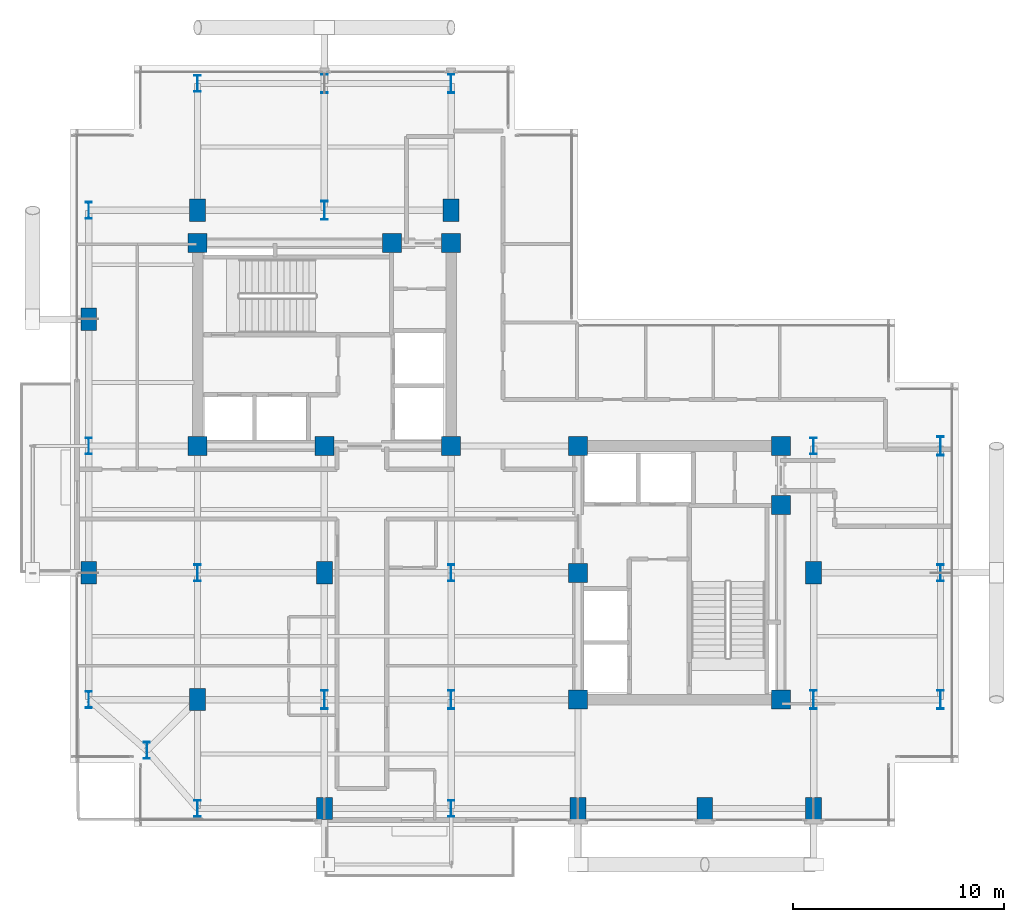
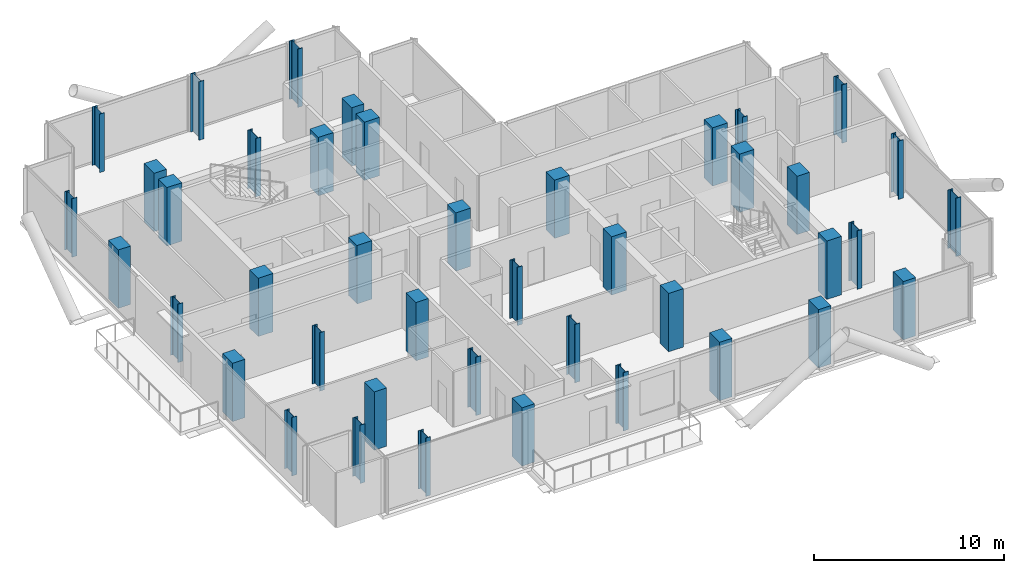
# One storey, part 1 of 21: 42 columns.
"""IFC4 building model written with IfcOpenShell, lengths in metres."""

from ifc_helpers import new_model, si_unit, direction, frame, origin, origin_2d, place, context, subcontext, project, spatial, rectangle, i_section, extrude, material, material_profile, profile_set, type_object, element, save


model = new_model("IFC4")

# Units and contexts
model_context = context("Model", 3, precision=1e-05, world=origin(), true_north=direction((0.0, 1.0)))
body_context = subcontext(model_context, "Body", "Model", "MODEL_VIEW")
ifc_project = project(units=[si_unit("LENGTHUNIT", "METRE"), si_unit("AREAUNIT", "SQUARE_METRE"), si_unit("VOLUMEUNIT", "CUBIC_METRE"), si_unit("PLANEANGLEUNIT", "RADIAN"), si_unit("MASSUNIT", "GRAM", prefix="KILO"), si_unit("THERMODYNAMICTEMPERATUREUNIT", "KELVIN"), si_unit("POWERUNIT", "WATT")], contexts=[model_context])

# Site, building, storey
site_placement = place(None, origin())
site = spatial("IfcSite", under=ifc_project, at=site_placement, CompositionType="ELEMENT")
building_placement = place(site_placement, origin())
building = spatial("IfcBuilding", under=site, at=building_placement, Name="Svarakhadi Broadcast Tower", CompositionType="ELEMENT")
storey_placement = place(building_placement, frame((0.0, 0.0, 208.64990234375)))
storey = spatial("IfcBuildingStorey", under=building, at=storey_placement, Name="L51", CompositionType="ELEMENT", Elevation=208.64990234375)

# Columns
ifc_material_1 = material(Name="Concrete C50/60 (IS 456 M60)", Category="concrete")
ifc_material_profile_1 = material_profile(ifc_material_1, rectangle(XDim=0.75, YDim=1.050048828125, at=origin_2d()), Name="RC 750x1050")
ifc_profile_set_1 = profile_set([ifc_material_profile_1], Name="Concrete C50/60 (IS 456 M60)")
column_type_1 = type_object("IfcColumnType", Name="Col_RC750", PredefinedType="COLUMN", material=ifc_profile_set_1)
for number, where, z_axis, x_axis, name in (
    (1, (0.85009765625, 12.0, 0.0), (0.0, 0.0, 1.0), (1.0, 0.0, 0.0), "L51 Column G04"),
    (2, (0.85009765625, 24.0, 0.0), (0.0, 0.0, 1.0), (1.0, 0.0, 0.0), "L51 Column G06"),
    (3, (6.0, 6.0, 0.0), (0.0, 0.0, 1.0), (1.0, 0.0, 0.0), "L51 Column G12"),
    (4, (6.0, 29.14990234375, 0.0), (0.0, 0.0, 1.0), (1.0, 0.0, 0.0), "L51 Column G14"),
    (5, (12.0, 0.85009765625, 0.0), (0.0, 0.0, 1.0), (1.0, 0.0, 0.0), "L51 Column G18"),
    (6, (12.0, 12.0, 0.0), (0.0, 0.0, 1.0), (1.0, 0.0, 0.0), "L51 Column G20"),
    (7, (18.0, 29.14990234375, 0.0), (0.0, 0.0, 1.0), (1.0, 0.0, 0.0), "L51 Column G28"),
    (8, (24.0, 0.85009765625, 0.0), (0.0, 0.0, 1.0), (1.0, 0.0, 0.0), "L51 Column G32"),
    (9, (30.0, 0.85009765625, 0.0), (0.0, 0.0, 1.0), (1.0, 0.0, 0.0), "L51 Column G36"),
    (10, (35.14990234375, 0.85009765625, 0.0), (0.0, 0.0, 1.0), (1.0, 0.0, 0.0), "L51 Column G38"),
    (11, (35.14990234375, 12.0, 0.0), (0.0, 0.0, 1.0), (1.0, 0.0, 0.0), "L51 Column G40"),
):
    element("IfcColumn", number, at=place(storey_placement, frame(where, z_axis=z_axis, x_axis=x_axis)), inside=storey, type_object=column_type_1, Name=name, PredefinedType="COLUMN", context=body_context, shape_type="SweptSolid", body=[
        extrude(rectangle(XDim=0.75, YDim=1.050048828125, at=origin_2d()), origin(), (0.0, 0.0, 1.0), 3.75),
    ])
ifc_material_profile_2 = material_profile(ifc_material_1, rectangle(XDim=0.89990234375, YDim=0.89990234375, at=origin_2d()), Name="RC 900x900")
ifc_profile_set_2 = profile_set([ifc_material_profile_2], Name="Concrete C50/60 (IS 456 M60)")
column_type_2 = type_object("IfcColumnType", Name="Col_RC900", PredefinedType="COLUMN", material=ifc_profile_set_2)
for number, where, z_axis, x_axis, name in (
    (12, (6.0, 18.0, 0.0), (0.0, 0.0, 1.0), (1.0, 0.0, 0.0), "L51 Column CW1"),
    (13, (12.0, 18.0, 0.0), (0.0, 0.0, 1.0), (1.0, 0.0, 0.0), "L51 Column CW2"),
    (14, (18.0, 18.0, 0.0), (0.0, 0.0, 1.0), (1.0, 0.0, 0.0), "L51 Column CW3"),
    (15, (6.0, 27.60009765625, 0.0), (0.0, 0.0, 1.0), (1.0, 0.0, 0.0), "L51 Column CW4"),
    (16, (15.199951171875, 27.60009765625, 0.0), (0.0, 0.0, 1.0), (1.0, 0.0, 0.0), "L51 Column CW5"),
    (17, (18.0, 27.60009765625, 0.0), (0.0, 0.0, 1.0), (1.0, 0.0, 0.0), "L51 Column CW6"),
    (18, (24.0, 6.0, 0.0), (0.0, 0.0, 1.0), (1.0, 0.0, 0.0), "L51 Column CE1"),
    (19, (24.0, 12.0, 0.0), (0.0, 0.0, 1.0), (1.0, 0.0, 0.0), "L51 Column CE2"),
    (20, (24.0, 18.0, 0.0), (0.0, 0.0, 1.0), (1.0, 0.0, 0.0), "L51 Column CE3"),
    (21, (33.60009765625, 6.0, 0.0), (0.0, 0.0, 1.0), (1.0, 0.0, 0.0), "L51 Column CE4"),
    (22, (33.60009765625, 15.199951171875, 0.0), (0.0, 0.0, 1.0), (1.0, 0.0, 0.0), "L51 Column CE5"),
    (23, (33.60009765625, 18.0, 0.0), (0.0, 0.0, 1.0), (1.0, 0.0, 0.0), "L51 Column CE6"),
):
    element("IfcColumn", number, at=place(storey_placement, frame(where, z_axis=z_axis, x_axis=x_axis)), inside=storey, type_object=column_type_2, Name=name, PredefinedType="COLUMN", context=body_context, shape_type="SweptSolid", body=[
        extrude(rectangle(XDim=0.89990234375, YDim=0.89990234375, at=origin_2d()), origin(), (0.0, 0.0, 1.0), 3.75),
    ])
ifc_material_2 = material(Name="Steel S460ML (IS 2062 E450BR)", Category="steel")
ifc_material_profile_3 = material_profile(ifc_material_2, i_section(OverallWidth=0.300048828125, OverallDepth=0.800048828125, WebThickness=0.017578125, FlangeThickness=0.032958984375, FilletRadius=0.030029296875, at=origin_2d()), Name="WPB 800x300x262")
ifc_profile_set_3 = profile_set([ifc_material_profile_3], Name="Steel S460ML (IS 2062 E450BR)")
column_type_3 = type_object("IfcColumnType", Name="Col_WPB800", PredefinedType="COLUMN", material=ifc_profile_set_3)
for number, where, z_axis, x_axis, name in (
    (24, (3.60009765625, 3.60009765625, 0.0), (0.0, 0.0, 1.0), (1.0, 0.0, 0.0), "L51 Column G01"),
    (25, (0.85009765625, 6.0, 0.0), (0.0, 0.0, 1.0), (1.0, 0.0, 0.0), "L51 Column G03"),
    (26, (0.85009765625, 18.0, 0.0), (0.0, 0.0, 1.0), (1.0, 0.0, 0.0), "L51 Column G05"),
    (27, (0.85009765625, 29.14990234375, 0.0), (0.0, 0.0, 1.0), (1.0, 0.0, 0.0), "L51 Column G07"),
    (28, (6.0, 0.85009765625, 0.0), (0.0, 0.0, 1.0), (1.0, 0.0, 0.0), "L51 Column G11"),
    (29, (6.0, 12.0, 0.0), (0.0, 0.0, 1.0), (1.0, 0.0, 0.0), "L51 Column G13"),
    (30, (6.0, 35.14990234375, 0.0), (0.0, 0.0, 1.0), (1.0, 0.0, 0.0), "L51 Column G15"),
    (31, (18.0, 0.85009765625, 0.0), (0.0, 0.0, 1.0), (1.0, 0.0, 0.0), "L51 Column G25"),
    (32, (18.0, 12.0, 0.0), (0.0, 0.0, 1.0), (1.0, 0.0, 0.0), "L51 Column G27"),
    (33, (35.14990234375, 18.0, 0.0), (0.0, 0.0, 1.0), (1.0, 0.0, 0.0), "L51 Column G41"),
    (34, (41.14990234375, 12.0, 0.0), (0.0, 0.0, 1.0), (1.0, 0.0, 0.0), "L51 Column G45"),
):
    element("IfcColumn", number, at=place(storey_placement, frame(where, z_axis=z_axis, x_axis=x_axis)), inside=storey, type_object=column_type_3, Name=name, PredefinedType="COLUMN", context=body_context, shape_type="SweptSolid", body=[
        extrude(i_section(OverallWidth=0.300048828125, OverallDepth=0.800048828125, WebThickness=0.017578125, FlangeThickness=0.032958984375, FilletRadius=0.030029296875, at=origin_2d()), origin(), (0.0, 0.0, 1.0), 3.75),
    ])
ifc_material_profile_4 = material_profile(ifc_material_2, i_section(OverallWidth=0.300048828125, OverallDepth=0.89990234375, WebThickness=0.0185546875, FlangeThickness=0.034912109375, FilletRadius=0.030029296875, at=origin_2d()), Name="WPB 900x300x291")
ifc_profile_set_4 = profile_set([ifc_material_profile_4], Name="Steel S460ML (IS 2062 E450BR)")
column_type_4 = type_object("IfcColumnType", Name="Col_WPB900", PredefinedType="COLUMN", material=ifc_profile_set_4)
for number, where, z_axis, x_axis, name in (
    (35, (12.0, 6.0, 0.0), (0.0, 0.0, 1.0), (1.0, 0.0, 0.0), "L51 Column G19"),
    (36, (12.0, 29.14990234375, 0.0), (0.0, 0.0, 1.0), (1.0, 0.0, 0.0), "L51 Column G21"),
    (37, (12.0, 35.14990234375, 0.0), (0.0, 0.0, 1.0), (1.0, 0.0, 0.0), "L51 Column G22"),
    (38, (18.0, 6.0, 0.0), (0.0, 0.0, 1.0), (1.0, 0.0, 0.0), "L51 Column G26"),
    (39, (18.0, 35.14990234375, 0.0), (0.0, 0.0, 1.0), (1.0, 0.0, 0.0), "L51 Column G29"),
    (40, (35.14990234375, 6.0, 0.0), (0.0, 0.0, 1.0), (1.0, 0.0, 0.0), "L51 Column G39"),
    (41, (41.14990234375, 6.0, 0.0), (0.0, 0.0, 1.0), (1.0, 0.0, 0.0), "L51 Column G44"),
    (42, (41.14990234375, 18.0, 0.0), (0.0, 0.0, 1.0), (1.0, 0.0, 0.0), "L51 Column G46"),
):
    element("IfcColumn", number, at=place(storey_placement, frame(where, z_axis=z_axis, x_axis=x_axis)), inside=storey, type_object=column_type_4, Name=name, PredefinedType="COLUMN", context=body_context, shape_type="SweptSolid", body=[
        extrude(i_section(OverallWidth=0.300048828125, OverallDepth=0.89990234375, WebThickness=0.0185546875, FlangeThickness=0.034912109375, FilletRadius=0.030029296875, at=origin_2d()), origin(), (0.0, 0.0, 1.0), 3.75),
    ])

save(model, "model.ifc")
